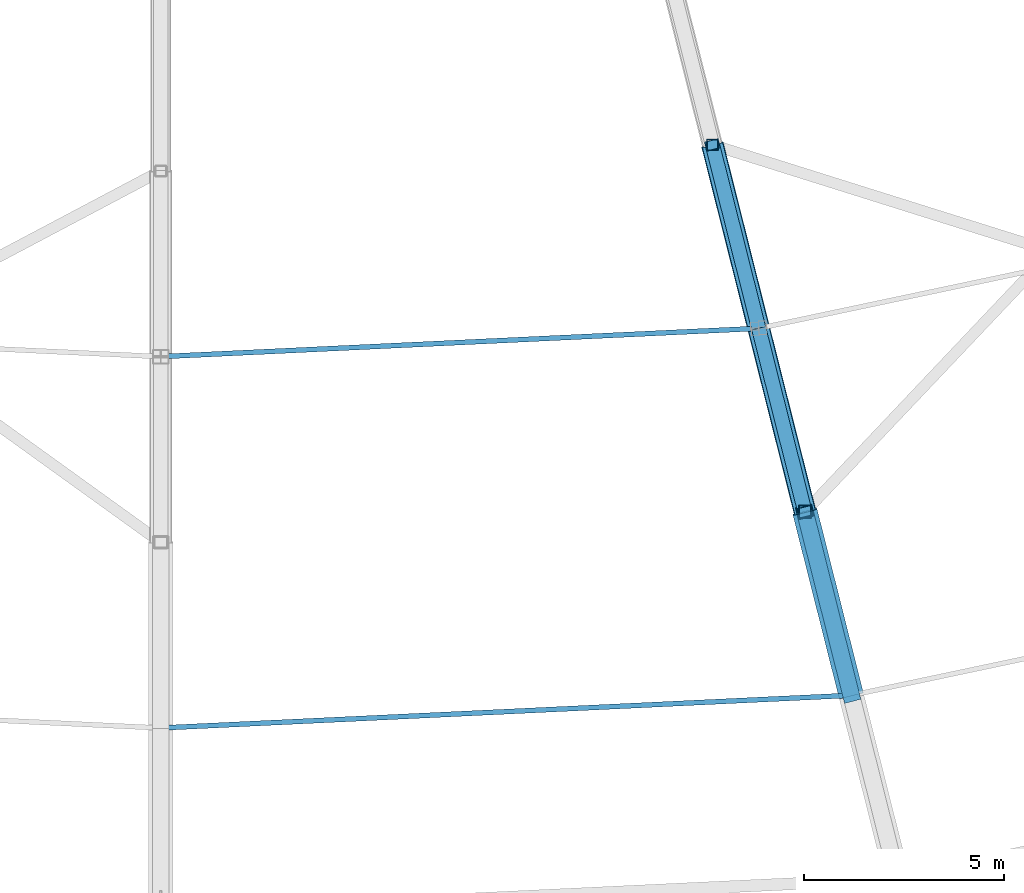
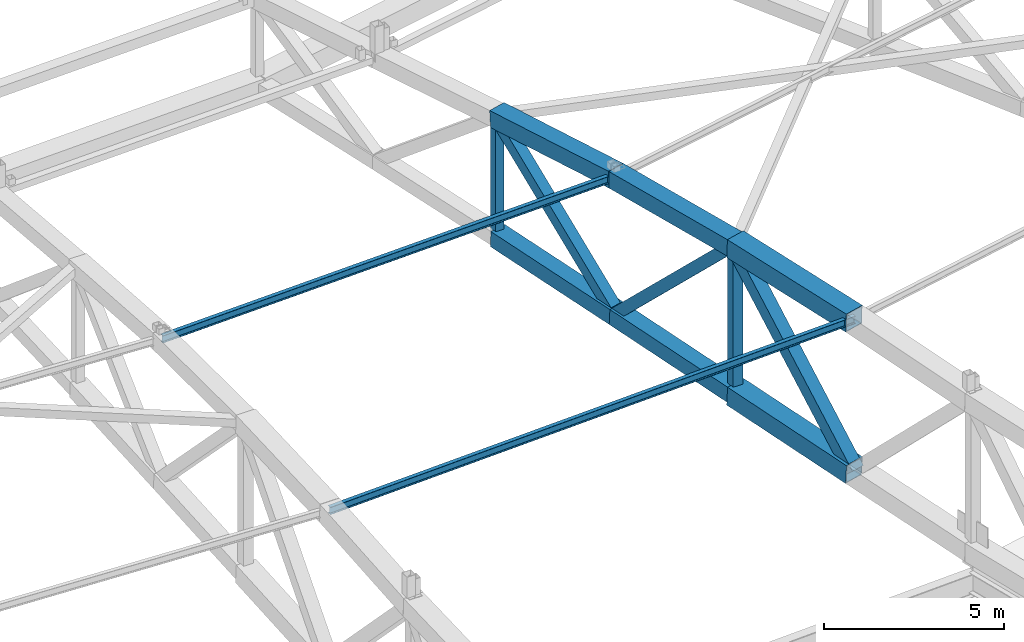
# One storey, part 31 of 162: 13 members.
"""IFC4 building model written with IfcOpenShell, lengths in metres."""

from ifc_helpers import new_model, si_unit, direction, frame, origin, origin_2d, place, context, subcontext, project, spatial, hollow_rectangle, i_section, extrude, material, material_profile, profile_set, type_object, element, save


model = new_model("IFC4")

# Units and contexts
model_context = context("Model", 3, precision=1e-05, world=origin(), true_north=direction((0.0, 1.0)))
body_context = subcontext(model_context, "Body", "Model", "MODEL_VIEW")
ifc_project = project(units=[si_unit("LENGTHUNIT", "METRE"), si_unit("AREAUNIT", "SQUARE_METRE"), si_unit("VOLUMEUNIT", "CUBIC_METRE"), si_unit("PLANEANGLEUNIT", "RADIAN"), si_unit("MASSUNIT", "GRAM", prefix="KILO")], contexts=[model_context])

# Site, building, storey
site_placement = place(None, origin())
site = spatial("IfcSite", under=ifc_project, at=site_placement, CompositionType="ELEMENT")
building_placement = place(site_placement, origin())
building = spatial("IfcBuilding", under=site, at=building_placement, Name="Kazemori Nagisa Stadium", CompositionType="ELEMENT")
storey_placement = place(building_placement, frame((0.0, 0.0, 36.719970703125)))
storey = spatial("IfcBuildingStorey", under=building, at=storey_placement, Name="RF", CompositionType="ELEMENT", Elevation=36.719970703125)

# Members
ifc_material_1 = material(Name="Steel STKR490", Category="steel")
ifc_material_profile_1 = material_profile(ifc_material_1, hollow_rectangle(XDim=0.360107421875, YDim=0.360107421875, WallThickness=0.013916015625, at=origin_2d()), Name="SHS-360x360x14")
ifc_profile_set_1 = profile_set([ifc_material_profile_1], Name="Steel STKR490")
member_type_1 = type_object("IfcMemberType", Name="Member_TB-SHS360", PredefinedType="BRACE", material=ifc_profile_set_1)
member_1_placement = place(storey_placement, frame((139.113525390625, 38.08984375, 6.008056640625), z_axis=(-0.173180692413, 0.686948861781, -0.705768877943), x_axis=(-0.969661184378, -0.244452832895, 0.0)))
element("IfcMember", 1, at=member_1_placement, inside=storey, type_object=member_type_1, Name="Roof space truss diagonal RT-23-6", PredefinedType="BRACE", context=body_context, shape_type="SweptSolid", body=[
    extrude(hollow_rectangle(XDim=0.360107421875, YDim=0.360107421875, WallThickness=0.013916015625, at=origin_2d()), origin(), (0.0, 0.0, 1.0), 6.6806640625),
])
member_2_placement = place(storey_placement, frame((137.95654296875, 42.67919921875, 1.29296875), z_axis=(-0.180378146596, 0.715347763653, 0.67508614359), x_axis=(-0.96964895622, -0.244501332721, 0.0)))
element("IfcMember", 2, at=member_2_placement, inside=storey, type_object=member_type_1, Name="Roof space truss diagonal RT-23-7", PredefinedType="BRACE", context=body_context, shape_type="SweptSolid", body=[
    extrude(hollow_rectangle(XDim=0.360107421875, YDim=0.360107421875, WallThickness=0.013916015625, at=origin_2d()), origin(), (0.0, 0.0, 1.0), 6.41552734375),
])
ifc_material_profile_2 = material_profile(ifc_material_1, hollow_rectangle(XDim=0.419921875, YDim=0.419921875, WallThickness=0.01611328125, at=origin_2d()), Name="SHS-420x420x16")
ifc_profile_set_2 = profile_set([ifc_material_profile_2], Name="Steel STKR490")
member_type_2 = type_object("IfcMemberType", Name="Member_TB-SHS420", PredefinedType="BRACE", material=ifc_profile_set_2)
member_3_placement = place(storey_placement, frame((140.270751953125, 33.500732421875, 0.738037109375), z_axis=(-0.163375423461, 0.647883509451, 0.744013057137), x_axis=(-0.969645872336, -0.24451356253, 0.0)))
element("IfcMember", 3, at=member_3_placement, inside=storey, type_object=member_type_2, Name="Roof space truss diagonal RT-23-5", PredefinedType="BRACE", context=body_context, shape_type="SweptSolid", body=[
    extrude(hollow_rectangle(XDim=0.419921875, YDim=0.419921875, WallThickness=0.01611328125, at=origin_2d()), origin(), (0.0, 0.0, 1.0), 7.083251953125),
])
ifc_material_profile_3 = material_profile(ifc_material_1, hollow_rectangle(XDim=0.52001953125, YDim=0.52001953125, WallThickness=0.01904296875, at=origin_2d()), Name="SHS-520x520x19")
ifc_profile_set_3 = profile_set([ifc_material_profile_3], Name="Steel STKR490")
member_type_3 = type_object("IfcMemberType", Name="Member_TC-SHS520", PredefinedType="CHORD", material=ifc_profile_set_3)
member_4_placement = place(storey_placement, frame((139.113525390625, 38.08984375, 1.01513671875), z_axis=(-0.244032739643, 0.967994817433, 0.058600814035), x_axis=(-0.969661184378, -0.244452832895, 0.0)))
element("IfcMember", 4, at=member_4_placement, inside=storey, type_object=member_type_3, Name="Roof space truss bottom chord RT-23-6", PredefinedType="CHORD", context=body_context, shape_type="SweptSolid", body=[
    extrude(hollow_rectangle(XDim=0.52001953125, YDim=0.52001953125, WallThickness=0.01904296875, at=origin_2d()), origin(), (0.0, 0.0, 1.0), 4.7412109375),
])
member_5_placement = place(storey_placement, frame((137.95654296875, 42.67919921875, 1.29296875), z_axis=(-0.244138722514, 0.968210908402, 0.054441905), x_axis=(-0.96964895622, -0.244501332721, 0.0)))
element("IfcMember", 5, at=member_5_placement, inside=storey, type_object=member_type_3, Name="Roof space truss bottom chord RT-23-7", PredefinedType="CHORD", context=body_context, shape_type="SweptSolid", body=[
    extrude(hollow_rectangle(XDim=0.52001953125, YDim=0.52001953125, WallThickness=0.01904296875, at=origin_2d()), origin(), (0.0, 0.0, 1.0), 4.739990234375),
])
ifc_material_profile_4 = material_profile(ifc_material_1, hollow_rectangle(XDim=0.56005859375, YDim=0.56005859375, WallThickness=0.02001953125, at=origin_2d()), Name="SHS-560x560x20")
ifc_profile_set_4 = profile_set([ifc_material_profile_4], Name="Steel STKR490")
member_type_4 = type_object("IfcMemberType", Name="Member_TC-SHS560", PredefinedType="CHORD", material=ifc_profile_set_4)
member_6_placement = place(storey_placement, frame((139.113525390625, 38.08984375, 6.008056640625), z_axis=(-0.244430511317, 0.969572642273, -0.01351356699), x_axis=(-0.969661184378, -0.244452832895, 0.0)))
element("IfcMember", 6, at=member_6_placement, inside=storey, type_object=member_type_4, Name="Roof space truss top chord RT-23-6", PredefinedType="CHORD", context=body_context, shape_type="SweptSolid", body=[
    extrude(hollow_rectangle(XDim=0.56005859375, YDim=0.56005859375, WallThickness=0.02001953125, at=origin_2d()), origin(), (0.0, 0.0, 1.0), 4.7333984375),
])
member_7_placement = place(storey_placement, frame((137.95654296875, 42.67919921875, 5.944091796875), z_axis=(-0.243944177821, 0.967439378625, -0.067470636524), x_axis=(-0.96964895622, -0.244501332721, 0.0)))
element("IfcMember", 7, at=member_7_placement, inside=storey, type_object=member_type_4, Name="Roof space truss top chord RT-23-7", PredefinedType="CHORD", context=body_context, shape_type="SweptSolid", body=[
    extrude(hollow_rectangle(XDim=0.56005859375, YDim=0.56005859375, WallThickness=0.02001953125, at=origin_2d()), origin(), (0.0, 0.0, 1.0), 4.743896484375),
])
ifc_material_profile_5 = material_profile(ifc_material_1, hollow_rectangle(XDim=0.6201171875, YDim=0.6201171875, WallThickness=0.02197265625, at=origin_2d()), Name="SHS-620x620x22")
ifc_profile_set_5 = profile_set([ifc_material_profile_5], Name="Steel STKR490")
member_type_5 = type_object("IfcMemberType", Name="Member_TC-SHS620", PredefinedType="CHORD", material=ifc_profile_set_5)
member_8_placement = place(storey_placement, frame((140.270751953125, 33.500732421875, 5.863037109375), z_axis=(-0.244398855673, 0.969190989468, 0.030627198369), x_axis=(-0.969645872336, -0.24451356253, 0.0)))
element("IfcMember", 8, at=member_8_placement, inside=storey, type_object=member_type_5, Name="Roof space truss top chord RT-23-5", PredefinedType="CHORD", context=body_context, shape_type="SweptSolid", body=[
    extrude(hollow_rectangle(XDim=0.6201171875, YDim=0.6201171875, WallThickness=0.02197265625, at=origin_2d()), origin(), (0.0, 0.0, 1.0), 4.735107421875),
])
member_9_placement = place(storey_placement, frame((140.270751953125, 33.500732421875, 0.738037109375), z_axis=(-0.244095540584, 0.967988159567, 0.058449037671), x_axis=(-0.969645872336, -0.24451356253, 0.0)))
element("IfcMember", 9, at=member_9_placement, inside=storey, type_object=member_type_5, Name="Roof space truss bottom chord RT-23-5", PredefinedType="CHORD", context=body_context, shape_type="SweptSolid", body=[
    extrude(hollow_rectangle(XDim=0.6201171875, YDim=0.6201171875, WallThickness=0.02197265625, at=origin_2d()), origin(), (0.0, 0.0, 1.0), 4.740966796875),
])
ifc_material_2 = material(Name="Steel SN490B", Category="steel")
ifc_material_profile_6 = material_profile(ifc_material_2, i_section(OverallWidth=0.125, OverallDepth=0.25, WebThickness=0.006103515625, FlangeThickness=0.009033203125, FilletRadius=0.008056640625, at=origin_2d()), Name="H-250x125x6x9")
ifc_profile_set_6 = profile_set([ifc_material_profile_6], Name="Steel SN490B")
member_type_6 = type_object("IfcMemberType", Name="Member_TP-H250", PredefinedType="PURLIN", material=ifc_profile_set_6)
member_10_placement = place(storey_placement, frame((123.0, 32.68408203125, 5.929931640625), z_axis=(0.998876451706, 0.047232039849, -0.003868932412), x_axis=(-0.047232393353, 0.9988839277, 0.0)))
element("IfcMember", 10, at=member_10_placement, inside=storey, type_object=member_type_6, Name="Roof purlin TP-H250 B22-P4", PredefinedType="PURLIN", context=body_context, shape_type="SweptSolid", body=[
    extrude(i_section(OverallWidth=0.125, OverallDepth=0.25, WebThickness=0.006103515625, FlangeThickness=0.009033203125, FilletRadius=0.008056640625, at=origin_2d()), origin(), (0.0, 0.0, 1.0), 17.290283203125),
])
member_11_placement = place(storey_placement, frame((123.0, 41.971923828125, 6.10498046875), z_axis=(0.998826102637, 0.047233182386, -0.010744448461), x_axis=(-0.047235908996, 0.998883761456, 0.0)))
element("IfcMember", 11, at=member_11_placement, inside=storey, type_object=member_type_6, Name="Roof purlin TP-H250 B22-P6", PredefinedType="PURLIN", context=body_context, shape_type="SweptSolid", body=[
    extrude(i_section(OverallWidth=0.125, OverallDepth=0.25, WebThickness=0.006103515625, FlangeThickness=0.009033203125, FilletRadius=0.008056640625, at=origin_2d()), origin(), (0.0, 0.0, 1.0), 14.97412109375),
])
ifc_material_profile_7 = material_profile(ifc_material_1, hollow_rectangle(XDim=0.280029296875, YDim=0.280029296875, WallThickness=0.010009765625, at=origin_2d()), Name="SHS-280x280x10")
ifc_profile_set_7 = profile_set([ifc_material_profile_7], Name="Steel STKR490")
member_type_7 = type_object("IfcMemberType", Name="Member_TS-SHS280", PredefinedType="STRUT", material=ifc_profile_set_7)
member_12_placement = place(storey_placement, frame((136.79931640625, 47.2685546875, 1.551025390625), z_axis=(0.0, 0.0, 1.0), x_axis=(1.0, 0.0, 0.0)))
element("IfcMember", 12, at=member_12_placement, inside=storey, type_object=member_type_7, Name="Roof space truss strut RT-23-8", PredefinedType="STRUT", context=body_context, shape_type="SweptSolid", body=[
    extrude(hollow_rectangle(XDim=0.280029296875, YDim=0.280029296875, WallThickness=0.010009765625, at=origin_2d()), origin(), (0.0, 0.0, 1.0), 4.072998046875),
])
ifc_material_profile_8 = material_profile(ifc_material_1, hollow_rectangle(XDim=0.320068359375, YDim=0.320068359375, WallThickness=0.011962890625, at=origin_2d()), Name="SHS-320x320x12")
ifc_profile_set_8 = profile_set([ifc_material_profile_8], Name="Steel STKR490")
member_type_8 = type_object("IfcMemberType", Name="Member_TS-SHS320", PredefinedType="STRUT", material=ifc_profile_set_8)
member_13_placement = place(storey_placement, frame((139.113525390625, 38.08984375, 1.01513671875), z_axis=(0.0, 0.0, 1.0), x_axis=(1.0, 0.0, 0.0)))
element("IfcMember", 13, at=member_13_placement, inside=storey, type_object=member_type_8, Name="Roof space truss strut RT-23-6", PredefinedType="STRUT", context=body_context, shape_type="SweptSolid", body=[
    extrude(hollow_rectangle(XDim=0.320068359375, YDim=0.320068359375, WallThickness=0.011962890625, at=origin_2d()), origin(), (0.0, 0.0, 1.0), 4.992919921875),
])

save(model, "model.ifc")
